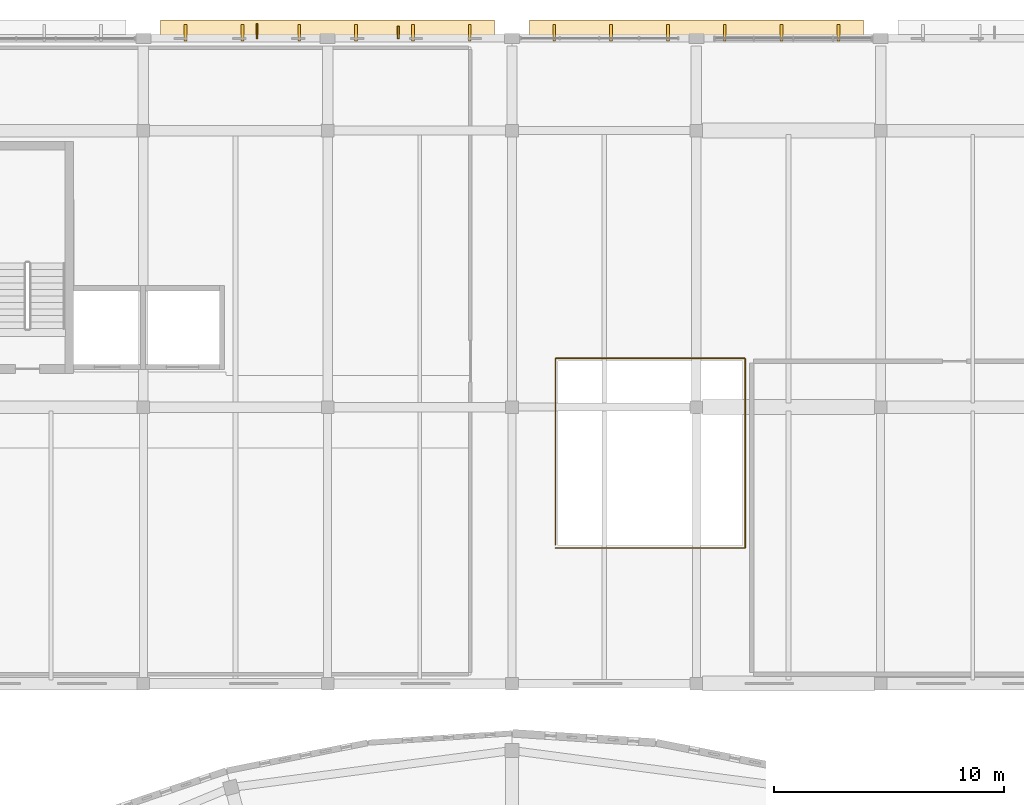
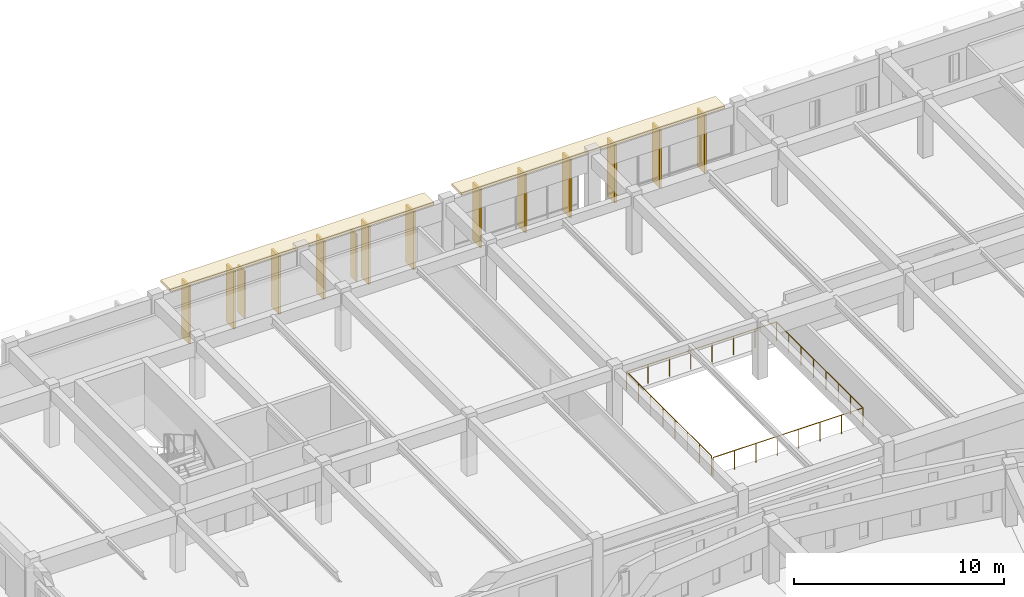
# One storey, part 140 of 155: 14 coverings, 2 shading devices, 1 railing.
"""IFC4 building model written with IfcOpenShell, lengths in metres."""

from ifc_helpers import new_model, si_unit, direction, frame, origin, origin_2d, place, context, subcontext, project, spatial, rectangle, circle, extrude, material, layer, layer_set, type_object, element, save


model = new_model("IFC4")

# Units and contexts
model_context = context("Model", 3, precision=1e-05, world=origin(), true_north=direction((0.0, 1.0)))
body_context = subcontext(model_context, "Body", "Model", "MODEL_VIEW")
ifc_project = project(units=[si_unit("LENGTHUNIT", "METRE"), si_unit("AREAUNIT", "SQUARE_METRE"), si_unit("VOLUMEUNIT", "CUBIC_METRE"), si_unit("PLANEANGLEUNIT", "RADIAN"), si_unit("MASSUNIT", "GRAM", prefix="KILO")], contexts=[model_context])

# Site, building, storey
site_placement = place(None, origin())
site = spatial("IfcSite", under=ifc_project, at=site_placement, CompositionType="ELEMENT")
building_placement = place(site_placement, origin())
building = spatial("IfcBuilding", under=site, at=building_placement, Name="Larkveld Mobility Hub", CompositionType="ELEMENT")
storey_placement = place(building_placement, frame((0.0, 0.0, 8.39990234375)))
storey = spatial("IfcBuildingStorey", under=building, at=storey_placement, Name="L02", CompositionType="ELEMENT", Elevation=8.39990234375)

# Coverings
ifc_material_1 = material(Name="Precast concrete C50/60", Category="concrete")
ifc_layer_1 = layer(ifc_material_1, 0.14990234375, Name="Precast concrete C50/60", Category="concrete")
ifc_layer_set_1 = layer_set([ifc_layer_1], Name="Precast concrete C50/60")
covering_type_1 = type_object("IfcCoveringType", Name="COV-QSL-H01", PredefinedType="CLADDING", material=ifc_layer_set_1)
for number, where, z_axis, x_axis, name in (
    (1, (40.0, 126.340087890625, 3.3701171875), (0.0, 0.0, 1.0), (-1.0, 0.0, 0.0), "Precast Quebra-Sol Horizontal Sunbreaker QSH-118"),
    (2, (56.0, 126.340087890625, 3.3701171875), (0.0, 0.0, 1.0), (-1.0, 0.0, 0.0), "Precast Quebra-Sol Horizontal Sunbreaker QSH-125"),
):
    element("IfcCovering", number, at=place(storey_placement, frame(where, z_axis=z_axis, x_axis=x_axis)), inside=storey, type_object=covering_type_1, Name=name, PredefinedType="CLADDING", context=body_context, shape_type="SweptSolid", body=[
        extrude(rectangle(XDim=14.5, YDim=0.919921875, at=origin_2d()), origin(), (0.0, 0.0, 1.0), 0.14990234375),
    ])
ifc_layer_2 = layer(ifc_material_1, 0.1201171875, Name="Precast concrete C50/60", Category="concrete")
ifc_layer_set_2 = layer_set([ifc_layer_2], Name="Precast concrete C50/60")
covering_type_2 = type_object("IfcCoveringType", Name="COV-QSL-V01", PredefinedType="CLADDING", material=ifc_layer_set_2)
for number, where, z_axis, x_axis, name in (
    (3, (46.1669921875, 126.239990234375, -0.019287109375), (0.0, 0.0, 1.0), (-1.0, 0.0, 0.0), "Precast Quebra-Sol Vertical Fin QSV-119"),
    (4, (43.699951171875, 126.239990234375, -0.019287109375), (0.0, 0.0, 1.0), (-1.0, 0.0, 0.0), "Precast Quebra-Sol Vertical Fin QSV-120"),
    (5, (41.23291015625, 126.239990234375, -0.019287109375), (0.0, 0.0, 1.0), (-1.0, 0.0, 0.0), "Precast Quebra-Sol Vertical Fin QSV-121"),
    (6, (38.76708984375, 126.239990234375, -0.019287109375), (0.0, 0.0, 1.0), (-1.0, 0.0, 0.0), "Precast Quebra-Sol Vertical Fin QSV-122"),
    (7, (36.300048828125, 126.239990234375, -0.019287109375), (0.0, 0.0, 1.0), (-1.0, 0.0, 0.0), "Precast Quebra-Sol Vertical Fin QSV-123"),
    (8, (33.8330078125, 126.239990234375, -0.019287109375), (0.0, 0.0, 1.0), (-1.0, 0.0, 0.0), "Precast Quebra-Sol Vertical Fin QSV-124"),
    (9, (62.1669921875, 126.239990234375, -0.019287109375), (0.0, 0.0, 1.0), (-1.0, 0.0, 0.0), "Precast Quebra-Sol Vertical Fin QSV-126"),
    (10, (59.699951171875, 126.239990234375, -0.019287109375), (0.0, 0.0, 1.0), (-1.0, 0.0, 0.0), "Precast Quebra-Sol Vertical Fin QSV-127"),
    (11, (57.23291015625, 126.239990234375, -0.019287109375), (0.0, 0.0, 1.0), (-1.0, 0.0, 0.0), "Precast Quebra-Sol Vertical Fin QSV-128"),
    (12, (54.76708984375, 126.239990234375, -0.019287109375), (0.0, 0.0, 1.0), (-1.0, 0.0, 0.0), "Precast Quebra-Sol Vertical Fin QSV-129"),
    (13, (52.300048828125, 126.239990234375, -0.019287109375), (0.0, 0.0, 1.0), (-1.0, 0.0, 0.0), "Precast Quebra-Sol Vertical Fin QSV-130"),
    (14, (49.8330078125, 126.239990234375, -0.019287109375), (0.0, 0.0, 1.0), (-1.0, 0.0, 0.0), "Precast Quebra-Sol Vertical Fin QSV-131"),
):
    element("IfcCovering", number, at=place(storey_placement, frame(where, z_axis=z_axis, x_axis=x_axis)), inside=storey, type_object=covering_type_2, Name=name, PredefinedType="CLADDING", context=body_context, shape_type="SweptSolid", body=[
        extrude(rectangle(XDim=0.1201171875, YDim=0.719970703125, at=origin_2d()), origin(), (0.0, 0.0, 1.0), 3.375),
    ])

# Railing
ifc_material_2 = material(Name="Galvanized Steel S355JR void balustrade", Category="steel")
railing_type = type_object("IfcRailingType", Name="RL-GRD-1120", PredefinedType="GUARDRAIL", material=ifc_material_2)
railing_placement = place(storey_placement, frame((49.8798828125, 103.8798828125, 0.0)))
element("IfcRailing", 15, at=railing_placement, inside=storey, type_object=railing_type, Name="Bicycle Atrium Void Guard L02 L02-058", PredefinedType="GUARDRAIL", context=body_context, shape_type="SweptSolid", body=[
    extrude(circle(Radius=0.02392578125, at=origin_2d()), frame((0.0, 0.0, 1.09619140625), z_axis=(1.0, 0.0, 0.0), x_axis=(0.0, 1.0, 0.0)), (0.0, 0.0, 1.0), 8.240234375),
    extrude(circle(Radius=0.02392578125, at=origin_2d()), frame((8.240234375, 0.0, 1.09619140625), z_axis=(0.0, 1.0, 0.0), x_axis=(-1.0, 0.0, 0.0)), (0.0, 0.0, 1.0), 8.240234375),
    extrude(circle(Radius=0.02392578125, at=origin_2d()), frame((8.240234375, 8.240234375, 1.09619140625), z_axis=(-1.0, 0.0, 0.0), x_axis=(0.0, -1.0, 0.0)), (0.0, 0.0, 1.0), 8.240234375),
    extrude(circle(Radius=0.02392578125, at=origin_2d()), frame((0.0, 8.240234375, 1.09619140625), z_axis=(0.0, -1.0, 0.0), x_axis=(1.0, 0.0, 0.0)), (0.0, 0.0, 1.0), 8.10009765625),
    extrude(circle(Radius=0.02099609375, at=origin_2d()), origin(), (0.0, 0.0, 1.0), 1.072021484375),
    extrude(circle(Radius=0.02099609375, at=origin_2d()), frame((1.17724609375, 0.0, 0.0)), (0.0, 0.0, 1.0), 1.072021484375),
    extrude(circle(Radius=0.02099609375, at=origin_2d()), frame((2.354248046875, 0.0, 0.0)), (0.0, 0.0, 1.0), 1.072021484375),
    extrude(circle(Radius=0.02099609375, at=origin_2d()), frame((3.531494140625, 0.0, 0.0)), (0.0, 0.0, 1.0), 1.072021484375),
    extrude(circle(Radius=0.02099609375, at=origin_2d()), frame((4.708740234375, 0.0, 0.0)), (0.0, 0.0, 1.0), 1.072021484375),
    extrude(circle(Radius=0.02099609375, at=origin_2d()), frame((5.885986328125, 0.0, 0.0)), (0.0, 0.0, 1.0), 1.072021484375),
    extrude(circle(Radius=0.02099609375, at=origin_2d()), frame((7.06298828125, 0.0, 0.0)), (0.0, 0.0, 1.0), 1.072021484375),
    extrude(circle(Radius=0.02099609375, at=origin_2d()), frame((8.240234375, 0.0, 0.0)), (0.0, 0.0, 1.0), 1.072021484375),
    extrude(circle(Radius=0.02099609375, at=origin_2d()), frame((8.240234375, 1.17724609375, 0.0)), (0.0, 0.0, 1.0), 1.072021484375),
    extrude(circle(Radius=0.02099609375, at=origin_2d()), frame((8.240234375, 2.354248046875, 0.0)), (0.0, 0.0, 1.0), 1.072021484375),
    extrude(circle(Radius=0.02099609375, at=origin_2d()), frame((8.240234375, 3.531494140625, 0.0)), (0.0, 0.0, 1.0), 1.072021484375),
    extrude(circle(Radius=0.02099609375, at=origin_2d()), frame((8.240234375, 4.708740234375, 0.0)), (0.0, 0.0, 1.0), 1.072021484375),
    extrude(circle(Radius=0.02099609375, at=origin_2d()), frame((8.240234375, 5.885986328125, 0.0)), (0.0, 0.0, 1.0), 1.072021484375),
    extrude(circle(Radius=0.02099609375, at=origin_2d()), frame((8.240234375, 7.06298828125, 0.0)), (0.0, 0.0, 1.0), 1.072021484375),
    extrude(circle(Radius=0.02099609375, at=origin_2d()), frame((8.240234375, 8.240234375, 0.0)), (0.0, 0.0, 1.0), 1.072021484375),
    extrude(circle(Radius=0.02099609375, at=origin_2d()), frame((7.06298828125, 8.240234375, 0.0)), (0.0, 0.0, 1.0), 1.072021484375),
    extrude(circle(Radius=0.02099609375, at=origin_2d()), frame((5.885986328125, 8.240234375, 0.0)), (0.0, 0.0, 1.0), 1.072021484375),
    extrude(circle(Radius=0.02099609375, at=origin_2d()), frame((4.708740234375, 8.240234375, 0.0)), (0.0, 0.0, 1.0), 1.072021484375),
    extrude(circle(Radius=0.02099609375, at=origin_2d()), frame((3.531494140625, 8.240234375, 0.0)), (0.0, 0.0, 1.0), 1.072021484375),
    extrude(circle(Radius=0.02099609375, at=origin_2d()), frame((2.354248046875, 8.240234375, 0.0)), (0.0, 0.0, 1.0), 1.072021484375),
    extrude(circle(Radius=0.02099609375, at=origin_2d()), frame((1.17724609375, 8.240234375, 0.0)), (0.0, 0.0, 1.0), 1.072021484375),
    extrude(circle(Radius=0.02099609375, at=origin_2d()), frame((0.0, 8.240234375, 0.0)), (0.0, 0.0, 1.0), 1.072021484375),
    extrude(circle(Radius=0.02099609375, at=origin_2d()), frame((0.0, 7.0830078125, 0.0)), (0.0, 0.0, 1.0), 1.072021484375),
    extrude(circle(Radius=0.02099609375, at=origin_2d()), frame((0.0, 5.926025390625, 0.0)), (0.0, 0.0, 1.0), 1.072021484375),
    extrude(circle(Radius=0.02099609375, at=origin_2d()), frame((0.0, 4.768798828125, 0.0)), (0.0, 0.0, 1.0), 1.072021484375),
    extrude(circle(Radius=0.02099609375, at=origin_2d()), frame((0.0, 3.611572265625, 0.0)), (0.0, 0.0, 1.0), 1.072021484375),
    extrude(circle(Radius=0.02099609375, at=origin_2d()), frame((0.0, 2.454345703125, 0.0)), (0.0, 0.0, 1.0), 1.072021484375),
    extrude(circle(Radius=0.02099609375, at=origin_2d()), frame((0.0, 1.29736328125, 0.0)), (0.0, 0.0, 1.0), 1.072021484375),
    extrude(circle(Radius=0.02099609375, at=origin_2d()), frame((0.0, 0.14013671875, 0.0)), (0.0, 0.0, 1.0), 1.072021484375),
])

# Shading devices
ifc_layer_3 = layer(ifc_material_1, 0.074951171875, Name="Precast concrete C50/60", Category="concrete")
ifc_layer_set_3 = layer_set([ifc_layer_3], Name="Precast concrete C50/60")
shading_device_type_1 = type_object("IfcShadingDeviceType", Name="SHD-JAL-02", PredefinedType="JALOUSIE", material=ifc_layer_set_3)
shading_device_1_placement = place(storey_placement, frame((43.06591796875, 126.2548828125, 0.30029296875), z_axis=(0.0, 0.0, 1.0), x_axis=(1.0, 0.0, 0.0)))
element("IfcShadingDevice", 16, at=shading_device_1_placement, inside=storey, type_object=shading_device_type_1, Name="North Facade Sunshade Fin NF-055", PredefinedType="JALOUSIE", context=body_context, shape_type="SweptSolid", body=[
    extrude(rectangle(XDim=0.074951171875, YDim=0.550048828125, at=origin_2d()), origin(), (0.0, 0.0, 1.0), 2.760009765625),
])
ifc_layer_4 = layer(ifc_material_1, 0.0849609375, Name="Precast concrete C50/60", Category="concrete")
ifc_layer_set_4 = layer_set([ifc_layer_4], Name="Precast concrete C50/60")
shading_device_type_2 = type_object("IfcShadingDeviceType", Name="SHD-JAL-03", PredefinedType="JALOUSIE", material=ifc_layer_set_4)
shading_device_2_placement = place(storey_placement, frame((36.93408203125, 126.304931640625, 0.30029296875), z_axis=(0.0, 0.0, 1.0), x_axis=(1.0, 0.0, 0.0)))
element("IfcShadingDevice", 17, at=shading_device_2_placement, inside=storey, type_object=shading_device_type_2, Name="North Facade Sunshade Fin NF-056", PredefinedType="JALOUSIE", context=body_context, shape_type="SweptSolid", body=[
    extrude(rectangle(XDim=0.0849609375, YDim=0.64990234375, at=origin_2d()), origin(), (0.0, 0.0, 1.0), 2.760009765625),
])

save(model, "model.ifc")
